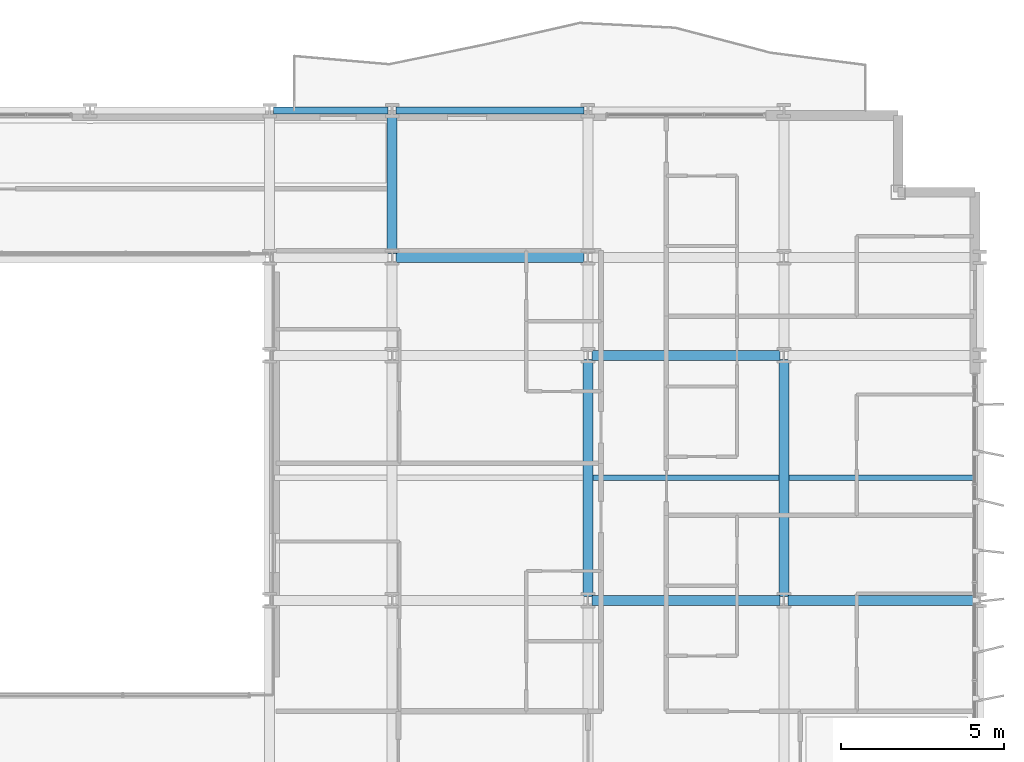
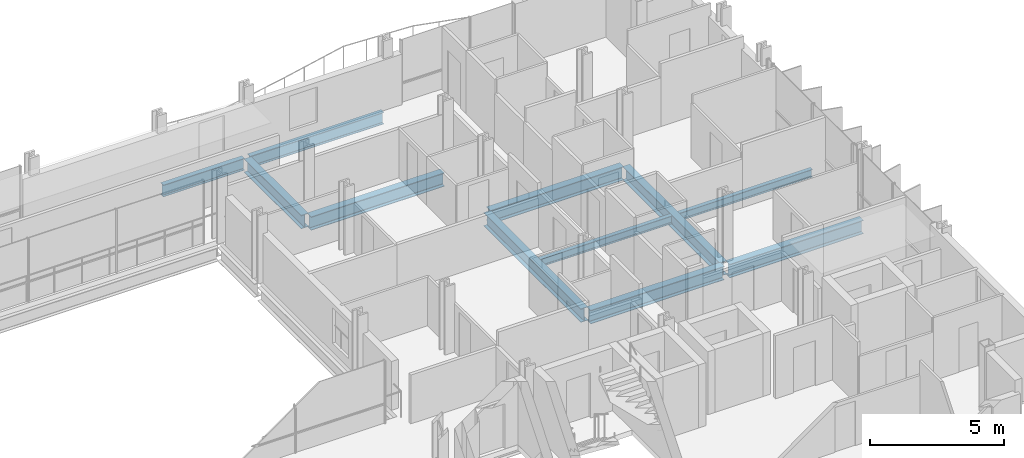
# One storey, part 18 of 39: 11 beams.
"""IFC4 building model written with IfcOpenShell, lengths in metres."""

from ifc_helpers import new_model, si_unit, direction, frame, origin, origin_2d, place, context, subcontext, project, spatial, i_section, extrude, material, material_profile, profile_set, type_object, element, save


model = new_model("IFC4")

# Units and contexts
model_context = context("Model", 3, precision=1e-05, world=origin(), true_north=direction((0.0, 1.0)))
body_context = subcontext(model_context, "Body", "Model", "MODEL_VIEW")
ifc_project = project(units=[si_unit("LENGTHUNIT", "METRE"), si_unit("AREAUNIT", "SQUARE_METRE"), si_unit("VOLUMEUNIT", "CUBIC_METRE"), si_unit("PLANEANGLEUNIT", "RADIAN"), si_unit("MASSUNIT", "GRAM", prefix="KILO")], contexts=[model_context])

# Site, building, storey
site_placement = place(None, origin())
site = spatial("IfcSite", under=ifc_project, at=site_placement, CompositionType="ELEMENT")
building_placement = place(site_placement, origin())
building = spatial("IfcBuilding", under=site, at=building_placement, Name="Brevholm Reach", CompositionType="ELEMENT")
storey_placement = place(building_placement, frame((0.0, 0.0, 34.199951171875)))
storey = spatial("IfcBuildingStorey", under=building, at=storey_placement, Name="L08", CompositionType="ELEMENT", Elevation=34.199951171875)

# Beams
ifc_material_1 = material(Name="Structural Steel S355J2", Category="steel")
ifc_material_profile_1 = material_profile(ifc_material_1, i_section(OverallWidth=0.17138671875, OverallDepth=0.35498046875, WebThickness=0.00732421875, FlangeThickness=0.011474609375, FilletRadius=0.01025390625, at=origin_2d()), Name="UKB 356x171x51")
ifc_profile_set_1 = profile_set([ifc_material_profile_1], Name="Structural Steel S355J2")
beam_type_1 = type_object("IfcBeamType", Name="BM-B356", PredefinedType="BEAM", material=ifc_profile_set_1)
beam_1_placement = place(storey_placement, frame((48.153564453125, 19.75, -0.407470703125), z_axis=(1.0, 0.0, 0.0), x_axis=(0.0, 1.0, 0.0)))
element("IfcBeam", 1, at=beam_1_placement, inside=storey, type_object=beam_type_1, Name="L08 Composite Secondary Floor Beam", PredefinedType="BEAM", context=body_context, shape_type="SweptSolid", body=[
    extrude(i_section(OverallWidth=0.17138671875, OverallDepth=0.35498046875, WebThickness=0.00732421875, FlangeThickness=0.011474609375, FilletRadius=0.01025390625, at=origin_2d()), origin(), (0.0, 0.0, 1.0), 5.69287109375),
])
beam_2_placement = place(storey_placement, frame((54.153564453125, 19.75, -0.407470703125), z_axis=(1.0, 0.0, 0.0), x_axis=(0.0, 1.0, 0.0)))
element("IfcBeam", 2, at=beam_2_placement, inside=storey, type_object=beam_type_1, Name="L08 Composite Secondary Floor Beam", PredefinedType="BEAM", context=body_context, shape_type="SweptSolid", body=[
    extrude(i_section(OverallWidth=0.17138671875, OverallDepth=0.35498046875, WebThickness=0.00732421875, FlangeThickness=0.011474609375, FilletRadius=0.01025390625, at=origin_2d()), origin(), (0.0, 0.0, 1.0), 5.740966796875),
])
ifc_material_2 = material(Name="Structural Steel S355J2", Category="steel")
ifc_material_profile_2 = material_profile(ifc_material_2, i_section(OverallWidth=0.210693359375, OverallDepth=0.53955078125, WebThickness=0.01171875, FlangeThickness=0.018798828125, FilletRadius=0.0126953125, at=origin_2d()), Name="UKB 533x210x109")
ifc_profile_set_2 = profile_set([ifc_material_profile_2], Name="Structural Steel S355J2")
beam_type_2 = type_object("IfcBeamType", Name="BM-SP539", PredefinedType="SPANDREL", material=ifc_profile_set_2)
beam_3_placement = place(storey_placement, frame((38.3701171875, 31.0, -0.499755859375), z_axis=(1.0, 0.0, 0.0), x_axis=(0.0, 1.0, 0.0)))
element("IfcBeam", 3, at=beam_3_placement, inside=storey, type_object=beam_type_2, Name="L08 SP-01B Framing Beam", PredefinedType="SPANDREL", context=body_context, shape_type="SweptSolid", body=[
    extrude(i_section(OverallWidth=0.210693359375, OverallDepth=0.53955078125, WebThickness=0.01171875, FlangeThickness=0.018798828125, FilletRadius=0.0126953125, at=origin_2d()), origin(), (0.0, 0.0, 1.0), 3.509765625),
])
beam_4_placement = place(storey_placement, frame((42.1201171875, 31.0, -0.499755859375), z_axis=(1.0, 0.0, 0.0), x_axis=(0.0, 1.0, 0.0)))
element("IfcBeam", 4, at=beam_4_placement, inside=storey, type_object=beam_type_2, Name="L08 SP-01B Framing Beam", PredefinedType="SPANDREL", context=body_context, shape_type="SweptSolid", body=[
    extrude(i_section(OverallWidth=0.210693359375, OverallDepth=0.53955078125, WebThickness=0.01171875, FlangeThickness=0.018798828125, FilletRadius=0.0126953125, at=origin_2d()), origin(), (0.0, 0.0, 1.0), 5.759765625),
])
ifc_material_3 = material(Name="Structural Steel S355J2", Category="steel")
ifc_material_profile_3 = material_profile(ifc_material_3, i_section(OverallWidth=0.30712890625, OverallDepth=0.6201171875, WebThickness=0.01416015625, FlangeThickness=0.023681640625, FilletRadius=0.0166015625, at=origin_2d()), Name="UKB 610x305x179")
ifc_profile_set_3 = profile_set([ifc_material_profile_3], Name="Structural Steel S355J2")
beam_type_3 = type_object("IfcBeamType", Name="BM-UKB610H", PredefinedType="USERDEFINED", material=ifc_profile_set_3)
for number, where, z_axis, x_axis, name in (
    (5, (48.1201171875, 16.0, -0.5400390625), (1.0, 0.0, 0.0), (0.0, 1.0, 0.0), "L08 G-06 Framing Beam"),
    (6, (54.1201171875, 16.0, -0.5400390625), (1.0, 0.0, 0.0), (0.0, 1.0, 0.0), "L08 G-06 Framing Beam"),
    (7, (48.1201171875, 23.5, -0.5400390625), (1.0, 0.0, 0.0), (0.0, 1.0, 0.0), "L08 G-06 Framing Beam"),
    (8, (42.1201171875, 26.5, -0.5400390625), (1.0, 0.0, 0.0), (0.0, 1.0, 0.0), "L08 G-06 Framing Beam"),
):
    element("IfcBeam", number, at=place(storey_placement, frame(where, z_axis=z_axis, x_axis=x_axis)), inside=storey, type_object=beam_type_3, Name=name, ObjectType="GIRDER", PredefinedType="USERDEFINED", context=body_context, shape_type="SweptSolid", body=[
        extrude(i_section(OverallWidth=0.30712890625, OverallDepth=0.6201171875, WebThickness=0.01416015625, FlangeThickness=0.023681640625, FilletRadius=0.0166015625, at=origin_2d()), origin(), (0.0, 0.0, 1.0), 5.759765625),
    ])
beam_5_placement = place(storey_placement, frame((42.0, 26.6201171875, -0.5400390625), z_axis=(0.0, 1.0, 0.0), x_axis=(-1.0, 0.0, 0.0)))
element("IfcBeam", 9, at=beam_5_placement, inside=storey, type_object=beam_type_3, Name="L08 G-06 Framing Beam", ObjectType="GIRDER", PredefinedType="USERDEFINED", context=body_context, shape_type="SweptSolid", body=[
    extrude(i_section(OverallWidth=0.30712890625, OverallDepth=0.6201171875, WebThickness=0.01416015625, FlangeThickness=0.023681640625, FilletRadius=0.0166015625, at=origin_2d()), origin(), (0.0, 0.0, 1.0), 4.259765625),
])
for number, where, z_axis, x_axis, name in (
    (10, (48.0, 16.1201171875, -0.5400390625), (0.0, 1.0, 0.0), (-1.0, 0.0, 0.0), "L08 G-06 Framing Beam"),
    (11, (54.0, 16.1201171875, -0.5400390625), (0.0, 1.0, 0.0), (-1.0, 0.0, 0.0), "L08 G-06 Framing Beam"),
):
    element("IfcBeam", number, at=place(storey_placement, frame(where, z_axis=z_axis, x_axis=x_axis)), inside=storey, type_object=beam_type_3, Name=name, ObjectType="GIRDER", PredefinedType="USERDEFINED", context=body_context, shape_type="SweptSolid", body=[
        extrude(i_section(OverallWidth=0.30712890625, OverallDepth=0.6201171875, WebThickness=0.01416015625, FlangeThickness=0.023681640625, FilletRadius=0.0166015625, at=origin_2d()), origin(), (0.0, 0.0, 1.0), 7.259765625),
    ])

save(model, "model.ifc")
